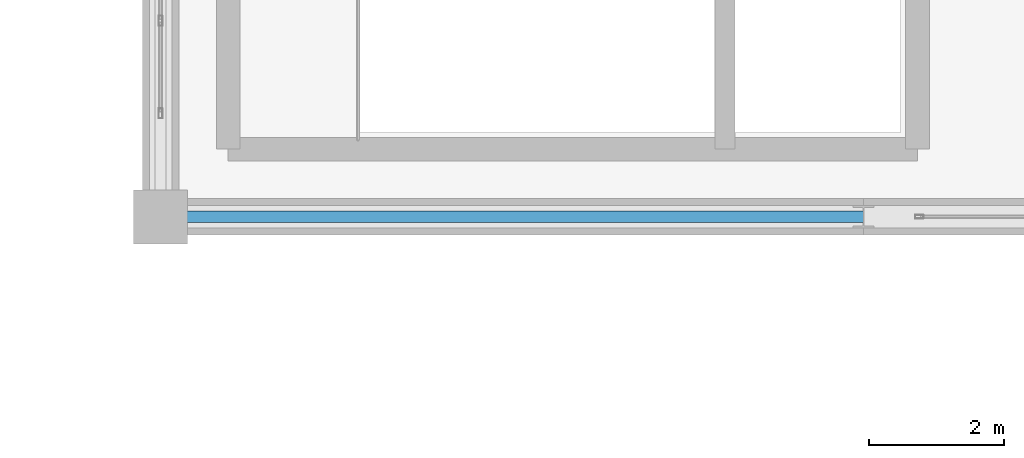
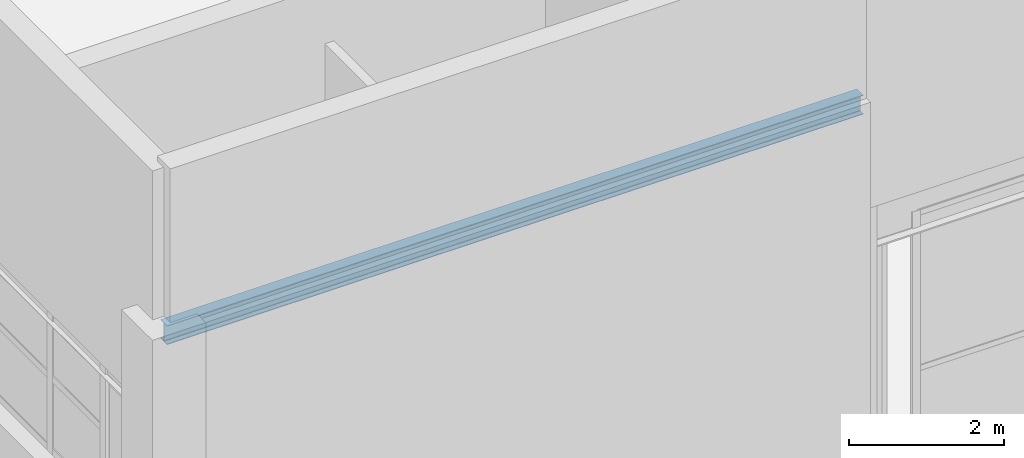
# One storey, part 17 of 97: 1 beam.
"""IFC4 building model written with IfcOpenShell, lengths in metres."""

from ifc_helpers import new_model, si_unit, derived_unit, direction, frame, origin, origin_2d, place, context, subcontext, project, spatial, i_section, extrude, material, material_profile, profile_set, type_object, element, save


model = new_model("IFC4")

# Units and contexts
model_context = context("Model", 3, precision=1e-05, world=origin(), true_north=direction((0.0, 1.0)))
body_context = subcontext(model_context, "Body", "Model", "MODEL_VIEW")
ifc_project = project(units=[si_unit("LENGTHUNIT", "METRE"), si_unit("AREAUNIT", "SQUARE_METRE"), si_unit("VOLUMEUNIT", "CUBIC_METRE"), si_unit("PLANEANGLEUNIT", "RADIAN"), si_unit("MASSUNIT", "GRAM", prefix="KILO"), derived_unit("THERMALTRANSMITTANCEUNIT", [(si_unit("POWERUNIT", "WATT"), 1), (si_unit("LENGTHUNIT", "METRE"), -2), (si_unit("THERMODYNAMICTEMPERATUREUNIT", "KELVIN"), -1)])], contexts=[model_context])

# Site, building, storey
site_placement = place(None, origin())
site = spatial("IfcSite", under=ifc_project, at=site_placement, CompositionType="ELEMENT")
building_placement = place(site_placement, origin())
building = spatial("IfcBuilding", under=site, at=building_placement, Name="Almenara Railside Exhibition Hall", CompositionType="ELEMENT")
storey_placement = place(building_placement, frame((0.0, 0.0, 10.800048828125)))
storey = spatial("IfcBuildingStorey", under=building, at=storey_placement, Name="L02", CompositionType="ELEMENT", Elevation=10.800048828125)

# Beam
ifc_material = material(Name="Structural steel S355JR", Category="steel")
ifc_material_profile = material_profile(ifc_material, i_section(OverallWidth=0.1650390625, OverallDepth=0.303466796875, WebThickness=0.006103515625, FlangeThickness=0.01025390625, FilletRadius=0.0087890625, at=origin_2d()), Name="UB 305x165x40")
ifc_profile_set = profile_set([ifc_material_profile], Name="Structural steel S355JR")
beam_type = type_object("IfcBeamType", Name="Steel Canopy Edge Spandrel UB 305x165x40 S355JR", PredefinedType="SPANDREL", material=ifc_profile_set)
beam_placement = place(storey_placement, frame((12.0, 48.0, 8.248291015625), z_axis=(1.0, 0.0, 0.0), x_axis=(0.0, 1.0, 0.0)))
element("IfcBeam", 1, at=beam_placement, inside=storey, type_object=beam_type, Name="BM-CRNLNT-V1G1-48", PredefinedType="SPANDREL", context=body_context, shape_type="SweptSolid", body=[
    extrude(i_section(OverallWidth=0.1650390625, OverallDepth=0.303466796875, WebThickness=0.006103515625, FlangeThickness=0.01025390625, FilletRadius=0.0087890625, at=origin_2d()), origin(), (0.0, 0.0, 1.0), 10.39990234375),
])

save(model, "model.ifc")
